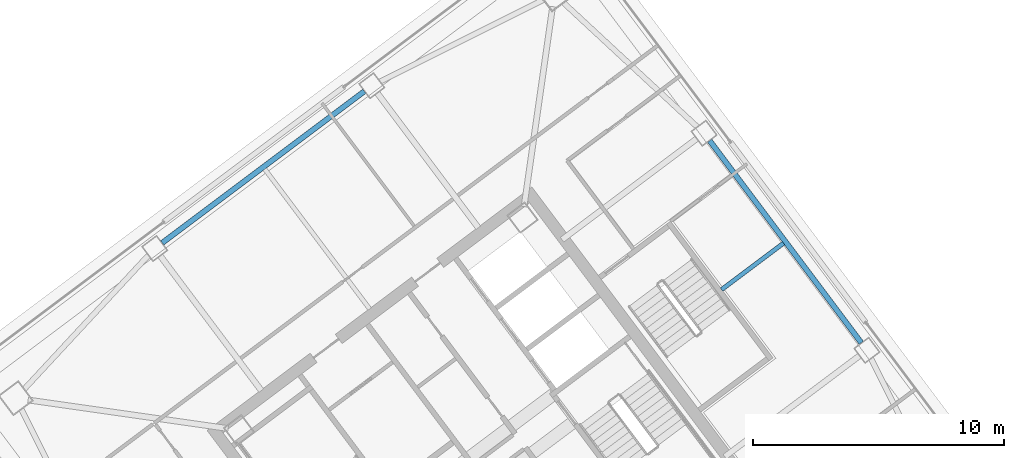
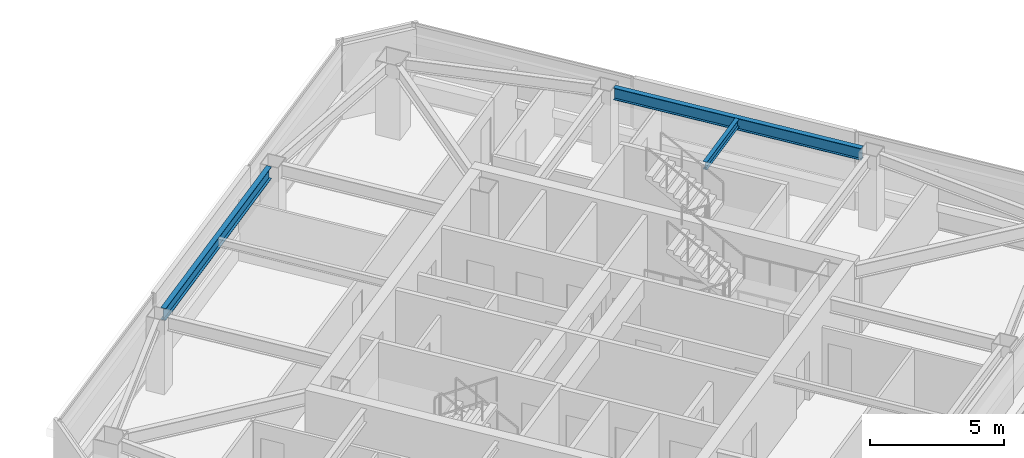
# One storey, part 25 of 39: 3 beams.
"""IFC4 building model written with IfcOpenShell, lengths in metres."""

from ifc_helpers import new_model, si_unit, direction, frame, origin, origin_2d, place, context, subcontext, project, spatial, i_section, extrude, material, material_profile, profile_set, type_object, element, save


model = new_model("IFC4")

# Units and contexts
model_context = context("Model", 3, precision=1e-05, world=origin(), true_north=direction((0.0, 1.0)))
body_context = subcontext(model_context, "Body", "Model", "MODEL_VIEW")
ifc_project = project(units=[si_unit("LENGTHUNIT", "METRE"), si_unit("AREAUNIT", "SQUARE_METRE"), si_unit("VOLUMEUNIT", "CUBIC_METRE"), si_unit("PLANEANGLEUNIT", "RADIAN"), si_unit("MASSUNIT", "GRAM", prefix="KILO")], contexts=[model_context])

# Site, building, storey
site_placement = place(None, origin())
site = spatial("IfcSite", under=ifc_project, at=site_placement, CompositionType="ELEMENT")
building_placement = place(site_placement, origin())
building = spatial("IfcBuilding", under=site, at=building_placement, Name="Tashvorn Skyway Center", CompositionType="ELEMENT")
storey_placement = place(building_placement, frame((0.0, 0.0, 207.75)))
storey = spatial("IfcBuildingStorey", under=building, at=storey_placement, Name="L56", CompositionType="ELEMENT", Elevation=207.75)

# Beams
ifc_material = material(Name="Steel ASTM A992 Grade 50", Category="steel")
ifc_material_profile_1 = material_profile(ifc_material, i_section(OverallWidth=0.1708984375, OverallDepth=0.35498046875, WebThickness=0.007080078125, FlangeThickness=0.01171875, at=origin_2d()), Name="W14X34")
ifc_profile_set_1 = profile_set([ifc_material_profile_1], Name="Steel ASTM A992 Grade 50")
beam_type_1 = type_object("IfcBeamType", Name="BM-JOIST-W14X34", PredefinedType="JOIST", material=ifc_profile_set_1)
beam_placement = place(storey_placement, frame((123.3359375, 39.001953125, 3.1923828125), z_axis=(0.799990496003, 0.600012671787, 0.0), x_axis=(-0.600012671787, 0.799990496003, 0.0)))
element("IfcBeam", 1, at=beam_placement, inside=storey, type_object=beam_type_1, Name="Tower 2 L56 Secondary Composite Joist JE", PredefinedType="JOIST", context=body_context, shape_type="SweptSolid", body=[
    extrude(i_section(OverallWidth=0.1708984375, OverallDepth=0.35498046875, WebThickness=0.007080078125, FlangeThickness=0.01171875, at=origin_2d()), origin(), (0.0, 0.0, 1.0), 3.08251953125),
])
ifc_material_profile_2 = material_profile(ifc_material, i_section(OverallWidth=0.2109375, OverallDepth=0.5390625, WebThickness=0.01171875, FlangeThickness=0.018798828125, at=origin_2d()), Name="W21X73")
ifc_profile_set_2 = profile_set([ifc_material_profile_2], Name="Steel ASTM A992 Grade 50")
beam_type_2 = type_object("IfcBeamType", Name="BM-SPANDREL-W21X73", PredefinedType="SPANDREL", material=ifc_profile_set_2)
for number, where, z_axis, x_axis, name in (
    (2, (128.89794921875, 36.885986328125, 3.1005859375), (-0.599988351091, 0.800008736549, 0.0), (-0.800008736549, -0.599988351091, 0.0), "Tower 2 L56 Spandrel Beam 05"),
    (3, (109.114013671875, 46.89794921875, 3.1005859375), (-0.800008736549, -0.599988351091, 0.0), (0.599988351091, -0.800008736549, 0.0), "Tower 2 L56 Spandrel Beam 08"),
):
    element("IfcBeam", number, at=place(storey_placement, frame(where, z_axis=z_axis, x_axis=x_axis)), inside=storey, type_object=beam_type_2, Name=name, PredefinedType="SPANDREL", context=body_context, shape_type="SweptSolid", body=[
        extrude(i_section(OverallWidth=0.2109375, OverallDepth=0.5390625, WebThickness=0.01171875, FlangeThickness=0.018798828125, at=origin_2d()), origin(), (0.0, 0.0, 1.0), 10.06005859375),
    ])

save(model, "model.ifc")
